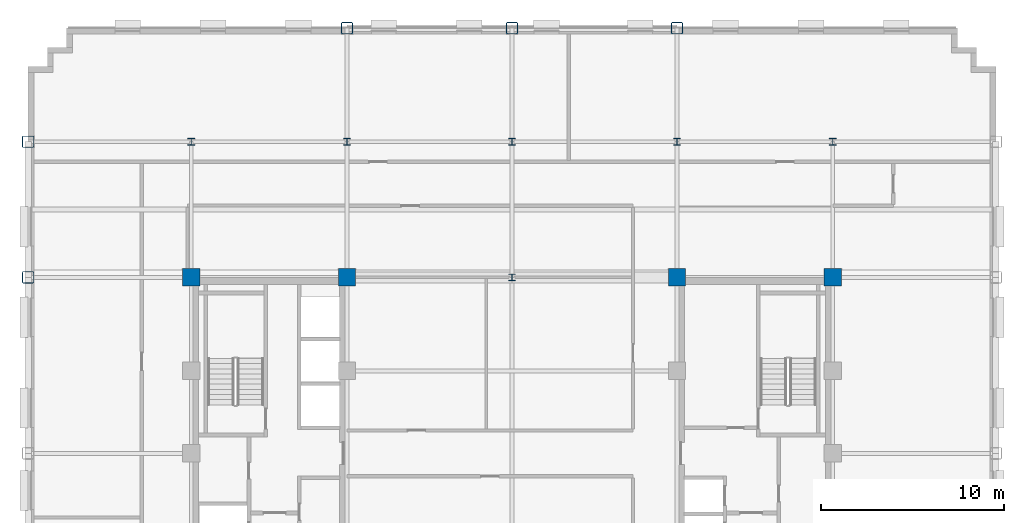
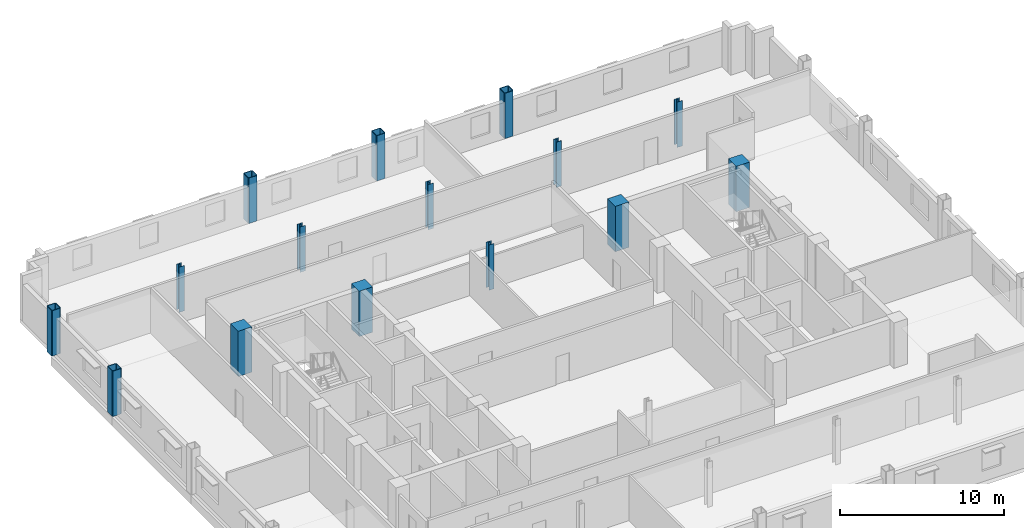
# One storey, part 3 of 14: 15 columns.
"""IFC4 building model written with IfcOpenShell, lengths in metres."""

from ifc_helpers import new_model, si_unit, direction, frame, origin, origin_2d, place, context, subcontext, project, spatial, rectangle, hollow_rectangle, i_section, extrude, material, material_profile, profile_set, type_object, element, save


model = new_model("IFC4")

# Units and contexts
model_context = context("Model", 3, precision=1e-05, world=origin(), true_north=direction((0.0, 1.0)))
body_context = subcontext(model_context, "Body", "Model", "MODEL_VIEW")
ifc_project = project(units=[si_unit("LENGTHUNIT", "METRE"), si_unit("AREAUNIT", "SQUARE_METRE"), si_unit("VOLUMEUNIT", "CUBIC_METRE"), si_unit("PLANEANGLEUNIT", "RADIAN"), si_unit("MASSUNIT", "GRAM", prefix="KILO")], contexts=[model_context])

# Site, building, storey
site_placement = place(None, origin())
site = spatial("IfcSite", under=ifc_project, at=site_placement, CompositionType="ELEMENT")
building_placement = place(site_placement, origin())
building = spatial("IfcBuilding", under=site, at=building_placement, Name="Nuvemarco Arch Tower", CompositionType="ELEMENT")
storey_placement = place(building_placement, frame((0.0, 0.0, 127.5)))
storey = spatial("IfcBuildingStorey", under=building, at=storey_placement, Name="L33", CompositionType="ELEMENT", Elevation=127.5)

# Columns
ifc_material_1 = material(Name="Concrete C50/60", Category="concrete")
ifc_material_profile_1 = material_profile(ifc_material_1, rectangle(XDim=0.949951171875, YDim=0.949951171875, at=origin_2d()), Name="RC-COL-950x950")
ifc_profile_set_1 = profile_set([ifc_material_profile_1], Name="Concrete C50/60")
column_type_1 = type_object("IfcColumnType", Name="COL-CORE-950", PredefinedType="COLUMN", material=ifc_profile_set_1)
for number, where, z_axis, x_axis, name in (
    (1, (-17.5, 9.60009765625, 0.0), (0.0, 0.0, 1.0), (1.0, 0.0, 0.0), "L33 column CC_-17.5_+9.6"),
    (2, (-9.0, 9.60009765625, 0.0), (0.0, 0.0, 1.0), (1.0, 0.0, 0.0), "L33 column CC_-9.0_+9.6"),
    (3, (9.0, 9.60009765625, 0.0), (0.0, 0.0, 1.0), (1.0, 0.0, 0.0), "L33 column CC_+9.0_+9.6"),
    (4, (17.5, 9.60009765625, 0.0), (0.0, 0.0, 1.0), (1.0, 0.0, 0.0), "L33 column CC_+17.5_+9.6"),
):
    element("IfcColumn", number, at=place(storey_placement, frame(where, z_axis=z_axis, x_axis=x_axis)), inside=storey, type_object=column_type_1, Name=name, PredefinedType="COLUMN", context=body_context, shape_type="SweptSolid", body=[
        extrude(rectangle(XDim=0.949951171875, YDim=0.949951171875, at=origin_2d()), origin(), (0.0, 0.0, 1.0), 3.3701171875),
    ])
ifc_material_2 = material(Name="Steel S355", Category="steel")
ifc_material_profile_2 = material_profile(ifc_material_2, hollow_rectangle(XDim=0.64990234375, YDim=0.64990234375, WallThickness=0.0400390625, InnerFilletRadius=0.0400390625, OuterFilletRadius=0.080078125, at=origin_2d()), Name="SHS650x650x40")
ifc_profile_set_2 = profile_set([ifc_material_profile_2], Name="Steel S355")
column_type_2 = type_object("IfcColumnType", Name="COL-EXO-650", PredefinedType="COLUMN", material=ifc_profile_set_2)
for number, where, z_axis, x_axis, name in (
    (5, (-26.39990234375, 9.60009765625, 0.0), (0.0, 0.0, 1.0), (1.0, 0.0, 0.0), "L33 column CX_-26.4_+9.6"),
    (6, (-26.39990234375, 17.0, 0.0), (0.0, 0.0, 1.0), (1.0, 0.0, 0.0), "L33 column CX_-26.4_+17.0"),
    (7, (-9.0, 23.199951171875, 0.0), (0.0, 0.0, 1.0), (1.0, 0.0, 0.0), "L33 column CY_-9.0_+23.2"),
    (8, (0.0, 23.199951171875, 0.0), (0.0, 0.0, 1.0), (1.0, 0.0, 0.0), "L33 column CY_+0.0_+23.2"),
    (9, (9.0, 23.199951171875, 0.0), (0.0, 0.0, 1.0), (1.0, 0.0, 0.0), "L33 column CY_+9.0_+23.2"),
):
    element("IfcColumn", number, at=place(storey_placement, frame(where, z_axis=z_axis, x_axis=x_axis)), inside=storey, type_object=column_type_2, Name=name, PredefinedType="COLUMN", context=body_context, shape_type="SweptSolid", body=[
        extrude(hollow_rectangle(XDim=0.64990234375, YDim=0.64990234375, WallThickness=0.0400390625, InnerFilletRadius=0.0400390625, OuterFilletRadius=0.080078125, at=origin_2d()), origin(), (0.0, 0.0, 1.0), 3.3701171875),
    ])
ifc_material_profile_3 = material_profile(ifc_material_2, i_section(OverallWidth=0.360107421875, OverallDepth=0.360107421875, WebThickness=0.0205078125, FlangeThickness=0.0205078125, FilletRadius=0.01806640625, at=origin_2d()), Name="HP360x174")
ifc_profile_set_3 = profile_set([ifc_material_profile_3], Name="Steel S355")
column_type_3 = type_object("IfcColumnType", Name="COL-STL-HP360", PredefinedType="COLUMN", material=ifc_profile_set_3)
for number, where, z_axis, x_axis, name in (
    (10, (0.0, 9.60009765625, 0.0), (0.0, 0.0, 1.0), (1.0, 0.0, 0.0), "L33 column CI_+0.0_+9.6"),
    (11, (0.0, 17.0, 0.0), (0.0, 0.0, 1.0), (1.0, 0.0, 0.0), "L33 column CI_+0.0_+17.0"),
    (12, (-17.5, 17.0, 0.0), (0.0, 0.0, 1.0), (1.0, 0.0, 0.0), "L33 column CI_-17.5_+17.0"),
    (13, (-9.0, 17.0, 0.0), (0.0, 0.0, 1.0), (1.0, 0.0, 0.0), "L33 column CI_-9.0_+17.0"),
    (14, (9.0, 17.0, 0.0), (0.0, 0.0, 1.0), (1.0, 0.0, 0.0), "L33 column CI_+9.0_+17.0"),
    (15, (17.5, 17.0, 0.0), (0.0, 0.0, 1.0), (1.0, 0.0, 0.0), "L33 column CI_+17.5_+17.0"),
):
    element("IfcColumn", number, at=place(storey_placement, frame(where, z_axis=z_axis, x_axis=x_axis)), inside=storey, type_object=column_type_3, Name=name, PredefinedType="COLUMN", context=body_context, shape_type="SweptSolid", body=[
        extrude(i_section(OverallWidth=0.360107421875, OverallDepth=0.360107421875, WebThickness=0.0205078125, FlangeThickness=0.0205078125, FilletRadius=0.01806640625, at=origin_2d()), origin(), (0.0, 0.0, 1.0), 3.3701171875),
    ])

save(model, "model.ifc")
